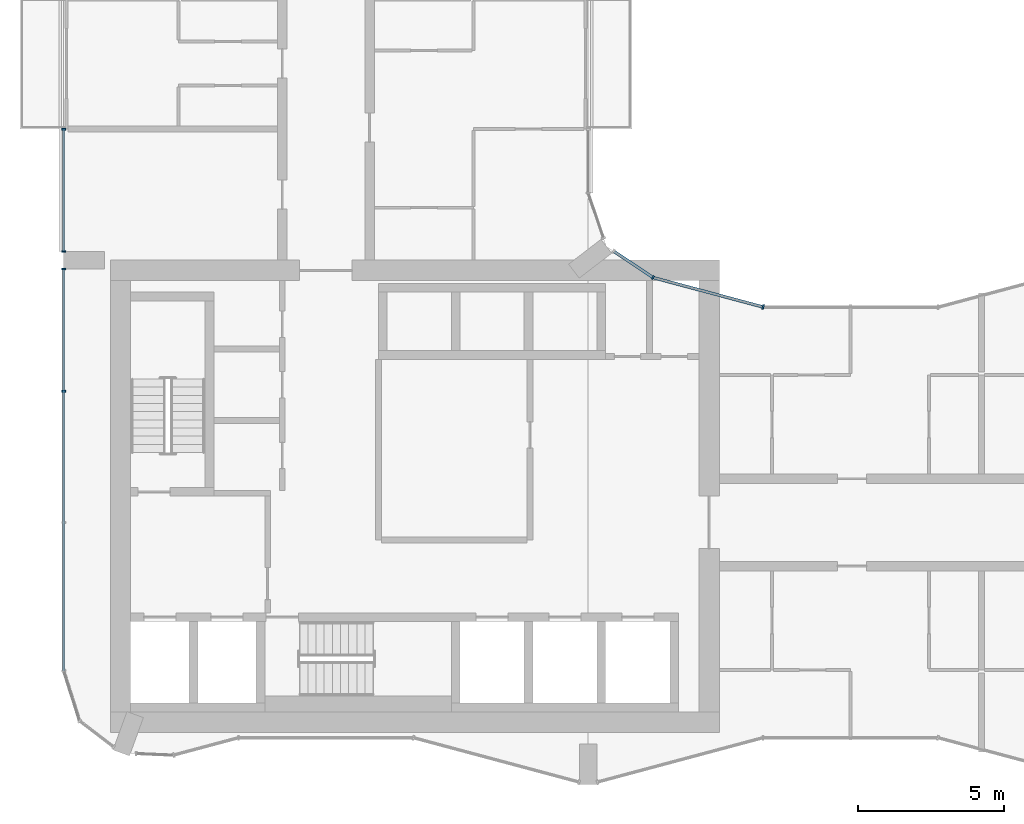
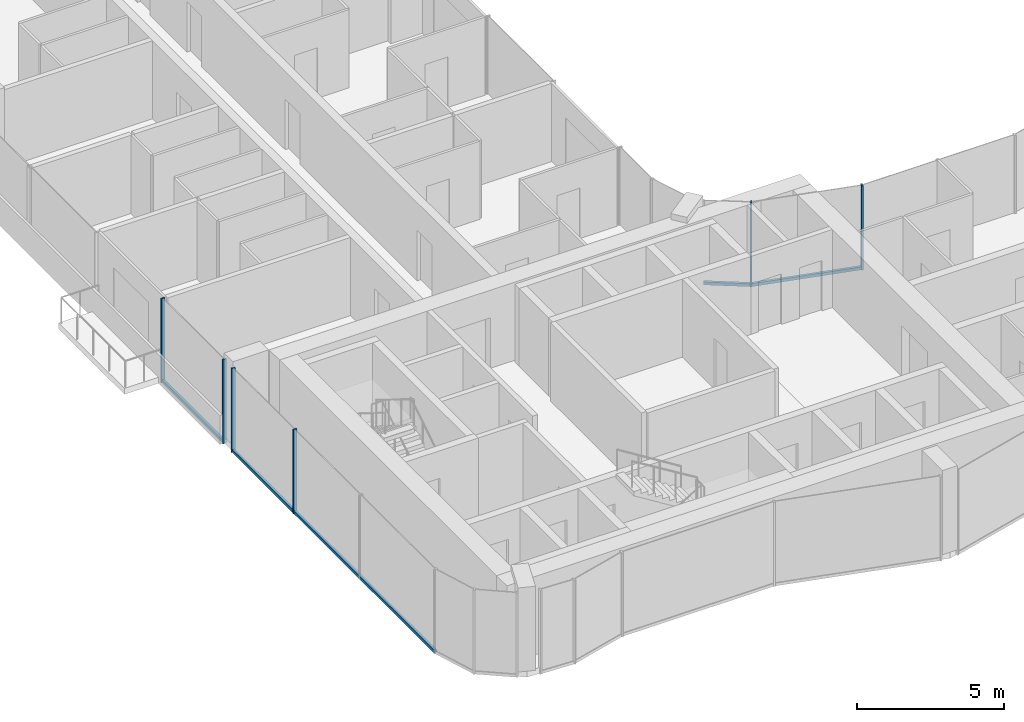
# One storey, part 3 of 23: 10 members, 4 elements without a shape of their own.
"""IFC4 building model written with IfcOpenShell, lengths in metres."""

from ifc_helpers import new_model, si_unit, direction, frame, origin, origin_2d, place, context, subcontext, project, spatial, rectangle, extrude, material, layer, layer_set, material_profile, profile_set, type_object, element, aggregate, save


model = new_model("IFC4")

# Units and contexts
model_context = context("Model", 3, precision=1e-05, world=origin(), true_north=direction((0.0, 1.0)))
body_context = subcontext(model_context, "Body", "Model", "MODEL_VIEW")
ifc_project = project(units=[si_unit("LENGTHUNIT", "METRE"), si_unit("AREAUNIT", "SQUARE_METRE"), si_unit("VOLUMEUNIT", "CUBIC_METRE"), si_unit("PLANEANGLEUNIT", "RADIAN"), si_unit("MASSUNIT", "GRAM", prefix="KILO")], contexts=[model_context])

# Site, building, storey
site_placement = place(None, origin())
site = spatial("IfcSite", under=ifc_project, at=site_placement, CompositionType="ELEMENT")
building_placement = place(site_placement, origin())
building = spatial("IfcBuilding", under=site, at=building_placement, Name="Plateau Cross Towers", CompositionType="ELEMENT")
storey_placement = place(building_placement, frame((0.0, 0.0, 85.300048828125)))
storey = spatial("IfcBuildingStorey", under=building, at=storey_placement, Name="L21", CompositionType="ELEMENT", Elevation=85.300048828125)

# Curtain wall, member
ifc_material_1 = material(Name="Dark low-iron glass", Category="glass")
ifc_layer_1 = layer(ifc_material_1, 0.239990234375)
ifc_layer_set_1 = layer_set([ifc_layer_1], Name="Dark low-iron glass")
curtain_wall_type_1 = type_object("IfcCurtainWallType", Name="Curtain wall flush unitised CW-B", PredefinedType="NOTDEFINED", material=ifc_layer_set_1)
curtain_wall_1_placement = place(storey_placement, origin())
curtain_wall_1 = element("IfcCurtainWall", 1, at=curtain_wall_1_placement, inside=storey, type_object=curtain_wall_type_1, Name="ENV/A/L21/A202_174", PredefinedType="NOTDEFINED")
ifc_material_2 = material(Name="Black anodised aluminium", Category="aluminium")
ifc_material_profile_1 = material_profile(ifc_material_2, rectangle(XDim=0.06005859375, YDim=0.139892578125, at=origin_2d()), Name="MULLION 60x140")
ifc_profile_set_1 = profile_set([ifc_material_profile_1], Name="Black anodised aluminium")
member_type_1 = type_object("IfcMemberType", Name="Mullion 60x140 flush unitised", PredefinedType="MULLION", material=ifc_profile_set_1)
member_1_placement = place(storey_placement, frame((20.223876953125, 17.404296875, -0.25), z_axis=(0.0, 0.0, 1.0), x_axis=(-0.831521253329, 0.555492938984, 0.0)))
member_1 = element("IfcMember", 2, at=member_1_placement, type_object=member_type_1, Name="CW-B mullion 1", PredefinedType="MULLION", context=body_context, shape_type="SweptSolid", body=[
    extrude(rectangle(XDim=0.06005859375, YDim=0.139892578125, at=origin_2d()), origin(), (0.0, 0.0, 1.0), 3.5),
])

# Curtain wall, members
curtain_wall_2_placement = place(storey_placement, origin())
curtain_wall_2 = element("IfcCurtainWall", 3, at=curtain_wall_2_placement, inside=storey, type_object=curtain_wall_type_1, Name="ENV/A/L21/A0_225", PredefinedType="NOTDEFINED")
member_2_placement = place(storey_placement, frame((0.0, 22.489990234375, -0.25), z_axis=(0.0, 0.0, 1.0), x_axis=(0.0, -1.0, 0.0)))
member_2 = element("IfcMember", 4, at=member_2_placement, type_object=member_type_1, Name="CW-B mullion 1", PredefinedType="MULLION", context=body_context, shape_type="SweptSolid", body=[
    extrude(rectangle(XDim=0.06005859375, YDim=0.139892578125, at=origin_2d()), origin(), (0.0, 0.0, 1.0), 3.5),
])
member_3_placement = place(storey_placement, frame((0.0, 18.300048828125, -0.25), z_axis=(0.0, 0.0, 1.0), x_axis=(0.0, -1.0, 0.0)))
member_3 = element("IfcMember", 5, at=member_3_placement, type_object=member_type_1, Name="CW-B mullion 2", PredefinedType="MULLION", context=body_context, shape_type="SweptSolid", body=[
    extrude(rectangle(XDim=0.06005859375, YDim=0.139892578125, at=origin_2d()), origin(), (0.0, 0.0, 1.0), 3.5),
])

curtain_wall_3_placement = place(storey_placement, origin())
curtain_wall_3 = element("IfcCurtainWall", 6, at=curtain_wall_3_placement, inside=storey, type_object=curtain_wall_type_1, Name="ENV/A/L21/A0_177", PredefinedType="NOTDEFINED")
member_4_placement = place(storey_placement, frame((0.0, 17.699951171875, -0.25), z_axis=(0.0, 0.0, 1.0), x_axis=(0.0, -1.0, 0.0)))
member_4 = element("IfcMember", 7, at=member_4_placement, type_object=member_type_1, Name="CW-B mullion 1", PredefinedType="MULLION", context=body_context, shape_type="SweptSolid", body=[
    extrude(rectangle(XDim=0.06005859375, YDim=0.139892578125, at=origin_2d()), origin(), (0.0, 0.0, 1.0), 3.5),
])
member_5_placement = place(storey_placement, frame((0.0, 13.5, -0.25), z_axis=(0.0, 0.0, 1.0), x_axis=(0.0, -1.0, 0.0)))
member_5 = element("IfcMember", 8, at=member_5_placement, type_object=member_type_1, Name="CW-B mullion 2", PredefinedType="MULLION", context=body_context, shape_type="SweptSolid", body=[
    extrude(rectangle(XDim=0.06005859375, YDim=0.139892578125, at=origin_2d()), origin(), (0.0, 0.0, 1.0), 3.5),
])

# Curtain wall, member
ifc_layer_2 = layer(ifc_material_1, 0.260009765625)
ifc_layer_set_2 = layer_set([ifc_layer_2], Name="Dark low-iron glass")
curtain_wall_type_2 = type_object("IfcCurtainWallType", Name="Curtain wall fluted unitised CW-A", PredefinedType="NOTDEFINED", material=ifc_layer_set_2)
curtain_wall_4_placement = place(storey_placement, origin())
curtain_wall_4 = element("IfcCurtainWall", 9, at=curtain_wall_4_placement, inside=storey, type_object=curtain_wall_type_2, Name="ENV/A/L21/A240_164", PredefinedType="NOTDEFINED")
ifc_material_profile_2 = material_profile(ifc_material_2, rectangle(XDim=0.06005859375, YDim=0.159912109375, at=origin_2d()), Name="MULLION 60x160")
ifc_profile_set_2 = profile_set([ifc_material_profile_2], Name="Black anodised aluminium")
member_type_2 = type_object("IfcMemberType", Name="Mullion 60x160 fluted unitised", PredefinedType="MULLION", material=ifc_profile_set_2)
member_6_placement = place(storey_placement, frame((24.0, 16.39306640625, -0.25), z_axis=(0.0, 0.0, 1.0), x_axis=(-0.965957995816, 0.258698956933, 0.0)))
member_6 = element("IfcMember", 10, at=member_6_placement, type_object=member_type_2, Name="CW-A mullion 1", PredefinedType="MULLION", context=body_context, shape_type="SweptSolid", body=[
    extrude(rectangle(XDim=0.06005859375, YDim=0.159912109375, at=origin_2d()), origin(), (0.0, 0.0, 1.0), 3.5),
])

# Member
ifc_material_profile_3 = material_profile(ifc_material_2, rectangle(XDim=0.10009765625, YDim=0.1201171875, at=origin_2d()), Name="TRANSOM 100x120")
ifc_profile_set_3 = profile_set([ifc_material_profile_3], Name="Black anodised aluminium")
member_type_3 = type_object("IfcMemberType", Name="Transom 100x120 flush unitised", PredefinedType="USERDEFINED", material=ifc_profile_set_3)
member_7_placement = place(storey_placement, frame((20.223876953125, 17.404296875, -0.18994140625), z_axis=(-0.831496402487, 0.555530136582, 0.0), x_axis=(-0.555530136582, -0.831496402487, 0.0)))
member_7 = element("IfcMember", 11, at=member_7_placement, type_object=member_type_3, Name="CW-B transom", ObjectType="TRANSOM", PredefinedType="USERDEFINED", context=body_context, shape_type="SweptSolid", body=[
    extrude(rectangle(XDim=0.10009765625, YDim=0.1201171875, at=origin_2d()), origin(), (0.0, 0.0, 1.0), 1.628662109375),
])

aggregate(curtain_wall_1, [member_1, member_7])

member_8_placement = place(storey_placement, frame((0.0, 22.489990234375, -0.18994140625), z_axis=(0.0, -1.0, 0.0), x_axis=(1.0, 0.0, 0.0)))
member_8 = element("IfcMember", 12, at=member_8_placement, type_object=member_type_3, Name="CW-B transom", ObjectType="TRANSOM", PredefinedType="USERDEFINED", context=body_context, shape_type="SweptSolid", body=[
    extrude(rectangle(XDim=0.10009765625, YDim=0.1201171875, at=origin_2d()), origin(), (0.0, 0.0, 1.0), 4.18994140625),
])

aggregate(curtain_wall_2, [member_2, member_3, member_8])

member_9_placement = place(storey_placement, frame((0.0, 17.699951171875, -0.18994140625), z_axis=(0.0, -1.0, 0.0), x_axis=(1.0, 0.0, 0.0)))
member_9 = element("IfcMember", 13, at=member_9_placement, type_object=member_type_3, Name="CW-B transom", ObjectType="TRANSOM", PredefinedType="USERDEFINED", context=body_context, shape_type="SweptSolid", body=[
    extrude(rectangle(XDim=0.10009765625, YDim=0.1201171875, at=origin_2d()), origin(), (0.0, 0.0, 1.0), 13.790771484375),
])

aggregate(curtain_wall_3, [member_4, member_5, member_9])

ifc_material_profile_4 = material_profile(ifc_material_2, rectangle(XDim=0.10009765625, YDim=0.1201171875, at=origin_2d()), Name="TRANSOM 100x120")
ifc_profile_set_4 = profile_set([ifc_material_profile_4], Name="Black anodised aluminium")
member_type_4 = type_object("IfcMemberType", Name="Transom 100x120 fluted unitised", PredefinedType="USERDEFINED", material=ifc_profile_set_4)
member_10_placement = place(storey_placement, frame((24.0, 16.39306640625, -0.18994140625), z_axis=(-0.965962822393, 0.25868093427, 0.0), x_axis=(-0.25868093427, -0.965962822393, 0.0)))
member_10 = element("IfcMember", 14, at=member_10_placement, type_object=member_type_4, Name="CW-A transom", ObjectType="TRANSOM", PredefinedType="USERDEFINED", context=body_context, shape_type="SweptSolid", body=[
    extrude(rectangle(XDim=0.10009765625, YDim=0.1201171875, at=origin_2d()), origin(), (0.0, 0.0, 1.0), 3.9091796875),
])

aggregate(curtain_wall_4, [member_6, member_10])

save(model, "model.ifc")
